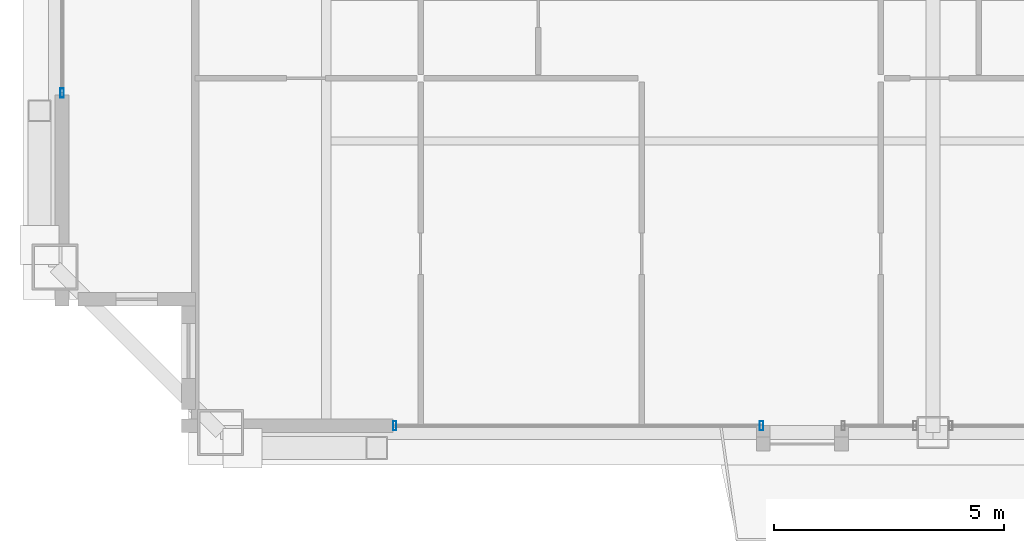
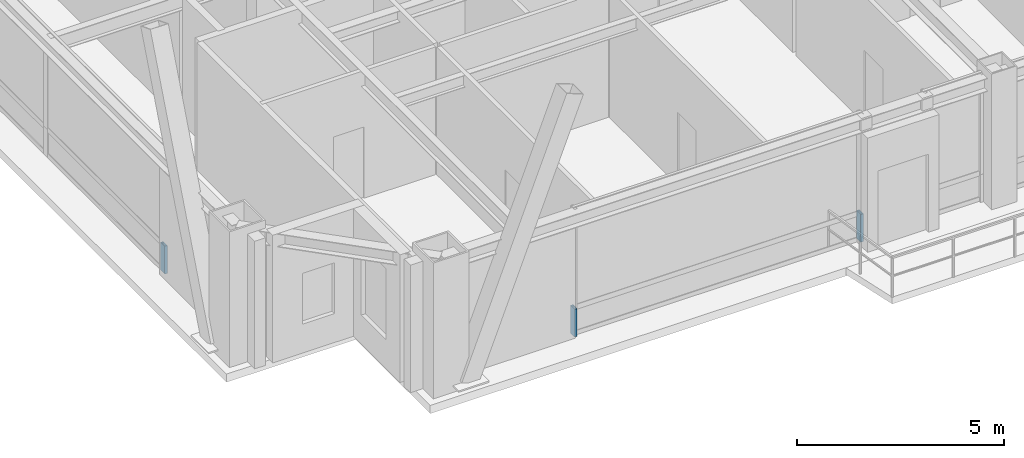
# One storey, part 20 of 35: 3 members, 2 elements without a shape of their own.
"""IFC4 building model written with IfcOpenShell, lengths in metres."""

from ifc_helpers import new_model, si_unit, direction, frame, origin, origin_2d, place, context, subcontext, project, spatial, hollow_rectangle, extrude, source, transform, mapped, material, layer, layer_set, material_profile, profile_set, type_object, element, aggregate, save


model = new_model("IFC4")

# Units and contexts
model_context = context("Model", 3, precision=1e-05, world=origin(), true_north=direction((0.0, 1.0)))
body_context = subcontext(model_context, "Body", "Model", "MODEL_VIEW")
ifc_project = project(units=[si_unit("LENGTHUNIT", "METRE"), si_unit("AREAUNIT", "SQUARE_METRE"), si_unit("VOLUMEUNIT", "CUBIC_METRE"), si_unit("PLANEANGLEUNIT", "RADIAN"), si_unit("MASSUNIT", "GRAM", prefix="KILO"), si_unit("THERMODYNAMICTEMPERATUREUNIT", "KELVIN"), si_unit("POWERUNIT", "WATT")], contexts=[model_context])

# Site, building, storey
site_placement = place(None, origin())
site = spatial("IfcSite", under=ifc_project, at=site_placement, CompositionType="ELEMENT")
building_placement = place(site_placement, origin())
building = spatial("IfcBuilding", under=site, at=building_placement, Name="Yuzanri Waterfront Tower", CompositionType="ELEMENT")
storey_placement = place(building_placement, frame((0.0, 0.0, 343.199951171875)))
storey = spatial("IfcBuildingStorey", under=building, at=storey_placement, Name="L92", CompositionType="ELEMENT", Elevation=343.199951171875)

# Curtain wall, members
ifc_material_1 = material(Name="Anodized Architectural Bronze", Category="metal")
ifc_layer = layer(ifc_material_1, 0.159912109375)
ifc_layer_set = layer_set([ifc_layer], Name="Anodized Architectural Bronze")
curtain_wall_type = type_object("IfcCurtainWallType", Name="Anodized Bronze High-Rise Penthouse High-Wind Unitized Curtain Wall 6900", PredefinedType="NOTDEFINED", material=ifc_layer_set)
curtain_wall_1_placement = place(storey_placement, origin())
curtain_wall_1 = element("IfcCurtainWall", 1, at=curtain_wall_1_placement, inside=storey, type_object=curtain_wall_type, Name="L92 Curtain Wall CW-L92-SL1", PredefinedType="NOTDEFINED")
ifc_material_2 = material(Name="Anodized Architectural Bronze", Category="metal")
ifc_material_profile = material_profile(ifc_material_2, hollow_rectangle(XDim=0.074951171875, YDim=0.199951171875, WallThickness=0.00390625, at=origin_2d()), Name="CWM 75x200")
ifc_profile_set = profile_set([ifc_material_profile], Name="Anodized Architectural Bronze")
member_type = type_object("IfcMemberType", Name="Anodized Bronze Primary Curtain-Wall Mullion 75x200", PredefinedType="MULLION", material=ifc_profile_set)
shared_shape = source(origin(), body_context, "Body", "SweptSolid", [
    extrude(hollow_rectangle(XDim=0.074951171875, YDim=0.199951171875, WallThickness=0.00390625, at=origin_2d()), origin(), (0.0, 0.0, 1.0), 0.818115234375),
])
member_1_placement = place(storey_placement, frame((25.2900390625, 6.85009765625, 0.0), z_axis=(0.0, 0.0, 1.0), x_axis=(1.0, 0.0, 0.0)))
member_1 = element("IfcMember", 2, at=member_1_placement, type_object=member_type, Name="CW-L92-SL1 Lower Mullion 00", PredefinedType="MULLION", context=body_context, shape_type="MappedRepresentation", body=[
    mapped(shared_shape, transform((0.0, 0.0, 0.0), scale=1.0)),
])
member_2_placement = place(storey_placement, frame((33.26904296875, 6.85009765625, 0.0), z_axis=(0.0, 0.0, 1.0), x_axis=(1.0, 0.0, 0.0)))
member_2 = element("IfcMember", 3, at=member_2_placement, type_object=member_type, Name="CW-L92-SL1 Lower Mullion 01", PredefinedType="MULLION", context=body_context, shape_type="MappedRepresentation", body=[
    mapped(shared_shape, transform((0.0, 0.0, 0.0), scale=1.0)),
])
aggregate(curtain_wall_1, [member_1, member_2])

# Curtain wall, member
curtain_wall_2_placement = place(storey_placement, origin())
curtain_wall_2 = element("IfcCurtainWall", 4, at=curtain_wall_2_placement, inside=storey, type_object=curtain_wall_type, Name="L92 Curtain Wall CW-L92-WL", PredefinedType="NOTDEFINED")
member_3_placement = place(storey_placement, frame((18.050048828125, 14.090087890625, 0.0), z_axis=(0.0, 0.0, 1.0), x_axis=(1.0, 0.0, 0.0)))
member_3 = element("IfcMember", 5, at=member_3_placement, type_object=member_type, Name="CW-L92-WL Lower Mullion 00", PredefinedType="MULLION", context=body_context, shape_type="MappedRepresentation", body=[
    mapped(shared_shape, transform((0.0, 0.0, 0.0), scale=1.0)),
])
aggregate(curtain_wall_2, [member_3])

save(model, "model.ifc")
